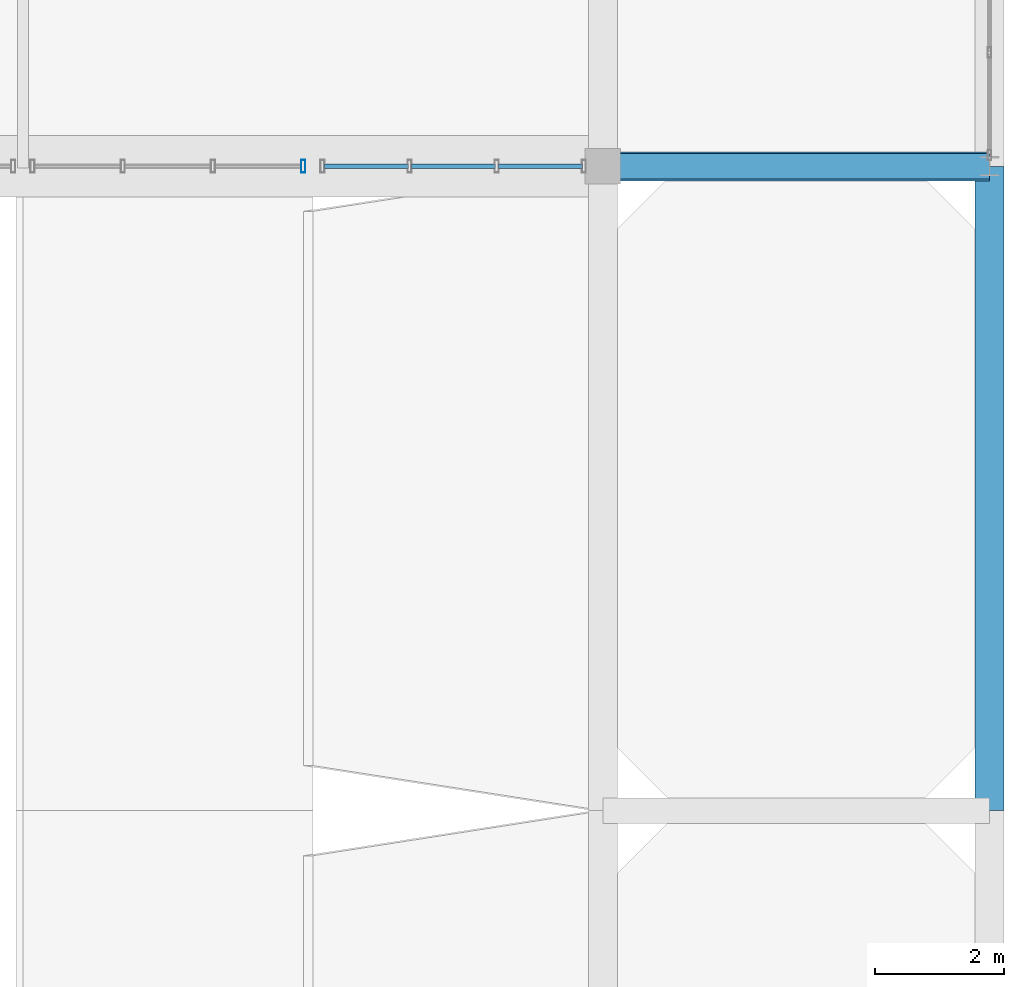
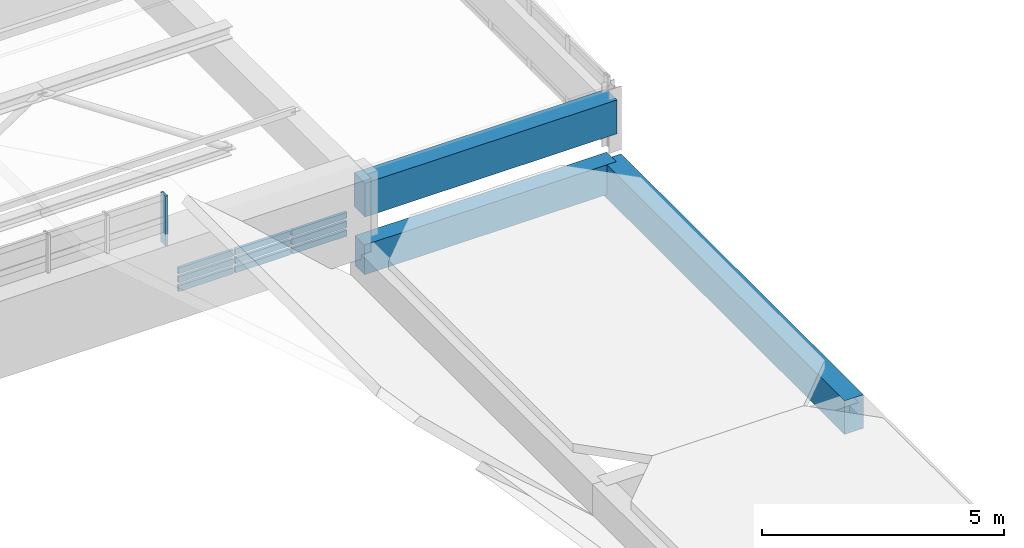
# One storey, part 54 of 82: 10 members, 3 beams, 2 elements without a shape of their own.
"""IFC4 building model written with IfcOpenShell, lengths in metres."""

import ifcopenshell
import ifcopenshell.guid

model = None  # the IFC model being written
_history = None  # IfcOwnerHistory: only IFC2X3 demands one
_inside = {}  # id of a spatial element -> (the spatial element, [elements in it])
_under = {}  # id of a project, library or spatial element -> (it, [spatial elements below it])
_declared = {}  # id of a project -> (the project, [libraries it declares])
_typed = {}  # id of a type object -> (the type object, [elements of that type])
_made_of = {}  # id of a material, layer set ... -> (it, [elements and type objects made of it])


def new_model(schema):
    """Start an empty IFC model of exactly this schema.

    Asked for "IFC4X3", IfcOpenShell would pick the latest addendum, in which some entities
    have other attributes; the version numbers below select the first issue.
    IFC2X3 requires an IfcOwnerHistory on every rooted entity: one is made here for all.
    """
    global model, _history
    if schema == "IFC4X3":
        model = ifcopenshell.file(schema_version=(4, 3, 0, 0))
    else:
        model = ifcopenshell.file(schema=schema)
    _inside.clear()
    _under.clear()
    _declared.clear()
    _typed.clear()
    _made_of.clear()
    _history = None
    if model.schema == "IFC2X3":
        org = make("IfcOrganization", Name="unknown")
        user = make(
            "IfcPersonAndOrganization",
            ThePerson=make("IfcPerson", FamilyName="unknown"),
            TheOrganization=org,
        )
        app = make(
            "IfcApplication",
            ApplicationDeveloper=org,
            Version="unknown",
            ApplicationFullName="unknown",
            ApplicationIdentifier="unknown",
        )
        _history = make(
            "IfcOwnerHistory",
            OwningUser=user,
            OwningApplication=app,
            ChangeAction="ADDED",
            CreationDate=0,
        )
    return model


def make(cls, **values):
    """One entity of the class cls with the attributes given. An attribute that is None is left unset."""
    return model.create_entity(
        cls, **{name: value for name, value in values.items() if value is not None}
    )


def rooted(cls, **values):
    """An entity with a GlobalId (a new one), such as an element, a storey or a relation."""
    return make(cls, GlobalId=ifcopenshell.guid.new(), OwnerHistory=_history, **values)


def si_unit(unit_type, name, prefix=None):
    """IfcSIUnit, for example si_unit("LENGTHUNIT", "METRE", prefix="MILLI")."""
    return make("IfcSIUnit", UnitType=unit_type, Prefix=prefix, Name=name)


def assignment(units):
    """IfcUnitAssignment: the units of a project."""
    return None if units is None else make("IfcUnitAssignment", Units=units)


def point(xyz):
    """IfcCartesianPoint."""
    return None if xyz is None else make("IfcCartesianPoint", Coordinates=xyz)


def direction(xyz):
    """IfcDirection."""
    return None if xyz is None else make("IfcDirection", DirectionRatios=xyz)


def frame(location, z_axis=None, x_axis=None):
    """IfcAxis2Placement3D, a coordinate frame: its origin and axes. An axis left out is left unset."""
    return make(
        "IfcAxis2Placement3D",
        Location=point(location),
        Axis=direction(z_axis),
        RefDirection=direction(x_axis),
    )


def frame_2d(location, x_axis=None):
    """IfcAxis2Placement2D, a coordinate frame in the plane: its origin and x axis."""
    return make(
        "IfcAxis2Placement2D", Location=point(location), RefDirection=direction(x_axis)
    )


def origin():
    """The frame at (0, 0, 0) with its axes left unset."""
    return frame((0.0, 0.0, 0.0))


def origin_2d():
    """The frame at (0, 0) in the plane with its x axis left unset."""
    return frame_2d((0.0, 0.0))


def place(relative_to, where):
    """IfcLocalPlacement: puts the frame where relative to a parent placement (None: the world)."""
    return make(
        "IfcLocalPlacement", PlacementRelTo=relative_to, RelativePlacement=where
    )


def context(
    kind, dimensions, precision=None, world=None, true_north=None, identifier=None
):
    """IfcGeometricRepresentationContext, for example the 3D "Model" context."""
    return make(
        "IfcGeometricRepresentationContext",
        ContextIdentifier=identifier,
        ContextType=kind,
        CoordinateSpaceDimension=dimensions,
        Precision=precision,
        WorldCoordinateSystem=world,
        TrueNorth=true_north,
    )


def subcontext(parent, identifier, kind, view, scale=None):
    """IfcGeometricRepresentationSubContext, for example "Body" below "Model"."""
    return make(
        "IfcGeometricRepresentationSubContext",
        ContextIdentifier=identifier,
        ContextType=kind,
        ParentContext=parent,
        TargetScale=scale,
        TargetView=view,
    )


def project(units=None, contexts=None):
    """IfcProject with its units and contexts."""
    return rooted(
        "IfcProject",
        Name="project",
        RepresentationContexts=contexts,
        UnitsInContext=assignment(units),
    )


def spatial(cls, under=None, at=None, **own):
    """A site, building, storey or space (cls), placed at a placement, below another one or the project."""
    s = rooted(cls, ObjectPlacement=at, **own)
    if under is not None:
        _under.setdefault(under.id(), (under, []))[1].append(s)
    return s


def profile(cls, at=None, kind="AREA", **sizes):
    """A parametric profile (cls). Its sizes go by their IFC names, for example OverallWidth=200.0."""
    return make(cls, ProfileType=kind, Position=at, **sizes)


def rectangle(**sizes):
    """IfcRectangleProfileDef."""
    return profile("IfcRectangleProfileDef", **sizes)


def hollow_rectangle(**sizes):
    """IfcRectangleHollowProfileDef."""
    return profile("IfcRectangleHollowProfileDef", **sizes)


def extrude(swept, where, along, depth):
    """IfcExtrudedAreaSolid: the profile swept, set in the frame where, extruded along a direction by depth."""
    return make(
        "IfcExtrudedAreaSolid",
        SweptArea=swept,
        Position=where,
        ExtrudedDirection=direction(along),
        Depth=depth,
    )


def shape(context_of_items, identifier, shape_type, items):
    """IfcShapeRepresentation: the items that make up one representation, for example the "Body"."""
    return make(
        "IfcShapeRepresentation",
        ContextOfItems=context_of_items,
        RepresentationIdentifier=identifier,
        RepresentationType=shape_type,
        Items=items,
    )


def material(Name=None, Category=None):
    """IfcMaterial."""
    return make("IfcMaterial", Name=Name, Category=Category)


def layer(
    of_material, thickness, ventilated=None, Name=None, Category=None, Priority=None
):
    """IfcMaterialLayer: one layer of a wall or slab, of a material (None: an air gap)."""
    return make(
        "IfcMaterialLayer",
        Material=of_material,
        LayerThickness=thickness,
        IsVentilated=ventilated,
        Name=Name,
        Category=Category,
        Priority=Priority,
    )


def layer_set(layers, Name=None):
    """IfcMaterialLayerSet."""
    return make("IfcMaterialLayerSet", MaterialLayers=layers, LayerSetName=Name)


def material_profile(
    of_material, cross_section, Name=None, Category=None, Priority=None
):
    """IfcMaterialProfile: a cross section and its material."""
    return make(
        "IfcMaterialProfile",
        Name=Name,
        Material=of_material,
        Profile=cross_section,
        Priority=Priority,
        Category=Category,
    )


def profile_set(profiles, Name=None, composite=None):
    """IfcMaterialProfileSet."""
    return make(
        "IfcMaterialProfileSet",
        Name=Name,
        MaterialProfiles=profiles,
        CompositeProfile=composite,
    )


def made_of(thing, what):
    """Note that an element or type object is made of a material, layer set ...; save() writes the relation."""
    if what is not None:
        _made_of.setdefault(what.id(), (what, []))[1].append(thing)
    return thing


def type_object(cls, material=None, **own):
    """A type object (cls), such as IfcWallType, which elements share."""
    return made_of(rooted(cls, **own), material)


def element(
    cls,
    number,
    at=None,
    inside=None,
    cuts=None,
    type_object=None,
    material=None,
    context=None,
    identifier="Body",
    shape_type=None,
    held_by="IfcProductDefinitionShape",
    body=None,
    shapes=None,
    **own,
):
    """One element of the class cls, such as IfcWall. Its Tag is "e" and its number.

    at: its placement. inside: the storey or other place that contains it. cuts: it is an
    opening in that element (IfcRelVoidsElement). A single representation is given by context,
    identifier, shape_type and body (its items); several are given by shapes. held_by: the class
    of the entity that holds the representations. save() writes the other relations.
    """
    e = rooted(cls, Tag="e%d" % number, ObjectPlacement=at, **own)
    if body is not None:
        shapes = [shape(context, identifier, shape_type, body)]
    if shapes is not None:
        e.Representation = make(held_by, Representations=shapes)
    if inside is not None:
        _inside.setdefault(inside.id(), (inside, []))[1].append(e)
    if cuts is not None:
        rooted(
            "IfcRelVoidsElement", RelatingBuildingElement=cuts, RelatedOpeningElement=e
        )
    if type_object is not None:
        _typed.setdefault(type_object.id(), (type_object, []))[1].append(e)
    return made_of(e, material)


def aggregate(whole, parts):
    """IfcRelAggregates: a whole, such as a stair, and the parts it consists of."""
    return rooted("IfcRelAggregates", RelatingObject=whole, RelatedObjects=parts)


def save(model, path):
    """Write the relations noted so far, then the file.

    IfcRelAggregates (storeys below a building ...), IfcRelContainedInSpatialStructure (elements
    in a storey), IfcRelDefinesByType, IfcRelAssociatesMaterial and IfcRelDeclares: one each for
    every whole, place, type object, material and project.
    """
    for whole, parts in _under.values():
        aggregate(whole, parts)
    for where, things in _inside.values():
        rooted(
            "IfcRelContainedInSpatialStructure",
            RelatedElements=things,
            RelatingStructure=where,
        )
    for kind, things in _typed.values():
        rooted("IfcRelDefinesByType", RelatedObjects=things, RelatingType=kind)
    for what, things in _made_of.values():
        rooted("IfcRelAssociatesMaterial", RelatedObjects=things, RelatingMaterial=what)
    for by, libraries in _declared.values():
        rooted("IfcRelDeclares", RelatingContext=by, RelatedDefinitions=libraries)
    model.write(path)


model = new_model("IFC4")

# Units and contexts
model_context = context("Model", 3, precision=1e-05, world=origin(), true_north=direction((0.0, 1.0)))
body_context = subcontext(model_context, "Body", "Model", "MODEL_VIEW")
ifc_project = project(units=[si_unit("LENGTHUNIT", "METRE"), si_unit("AREAUNIT", "SQUARE_METRE"), si_unit("VOLUMEUNIT", "CUBIC_METRE"), si_unit("PLANEANGLEUNIT", "RADIAN"), si_unit("MASSUNIT", "GRAM", prefix="KILO")], contexts=[model_context])

# Site, building, storey
site_placement = place(None, origin())
site = spatial("IfcSite", under=ifc_project, at=site_placement, CompositionType="ELEMENT")
building_placement = place(site_placement, origin())
building = spatial("IfcBuilding", under=site, at=building_placement, Name="Mersad Railyard Sports Hall", CompositionType="ELEMENT")
storey_placement = place(building_placement, frame((0.0, 0.0, 13.199951171875)))
storey = spatial("IfcBuildingStorey", under=building, at=storey_placement, Name="L03", CompositionType="ELEMENT", Elevation=13.199951171875)

# Curtain wall, member
ifc_material_1 = material(Name="Aluminium 6063-T6", Category="aluminium")
ifc_layer_1 = layer(ifc_material_1, 0.199951171875)
ifc_layer_set_1 = layer_set([ifc_layer_1], Name="Aluminium 6063-T6")
curtain_wall_type_1 = type_object("IfcCurtainWallType", Name="ARC-CW-CW43", PredefinedType="USERDEFINED", material=ifc_layer_set_1)
curtain_wall_1_placement = place(storey_placement, origin())
curtain_wall_1 = element("IfcCurtainWall", 1, at=curtain_wall_1_placement, inside=storey, type_object=curtain_wall_type_1, Name="Curtain wall CW43-0125", ObjectType="CURTAIN WALL", PredefinedType="USERDEFINED")
ifc_material_profile_1 = material_profile(ifc_material_1, hollow_rectangle(XDim=0.06494140625, YDim=0.199951171875, WallThickness=0.0048828125, at=origin_2d()), Name="AL MULLION 65x200x5")
ifc_profile_set_1 = profile_set([ifc_material_profile_1], Name="Aluminium 6063-T6")
member_type_1 = type_object("IfcMemberType", Name="ARC-CW-MUL02", PredefinedType="MULLION", material=ifc_profile_set_1)
member_1_placement = place(storey_placement, frame((168.35009765625, 73.5, 1.330078125), z_axis=(0.0, 0.0, 1.0), x_axis=(1.0, 0.0, 0.0)))
member_1 = element("IfcMember", 2, at=member_1_placement, type_object=member_type_1, Name="CW43 Mullion 4", PredefinedType="MULLION", context=body_context, shape_type="SweptSolid", body=[
    extrude(hollow_rectangle(XDim=0.06494140625, YDim=0.199951171875, WallThickness=0.0048828125, at=origin_2d()), origin(), (0.0, 0.0, 1.0), 1.251953125),
])
aggregate(curtain_wall_1, [member_1])

# Curtain wall, members
ifc_layer_2 = layer(ifc_material_1, 0.199951171875)
ifc_layer_set_2 = layer_set([ifc_layer_2], Name="Aluminium 6063-T6")
curtain_wall_type_2 = type_object("IfcCurtainWallType", Name="ARC-CW-CW41", PredefinedType="USERDEFINED", material=ifc_layer_set_2)
curtain_wall_2_placement = place(storey_placement, origin())
curtain_wall_2 = element("IfcCurtainWall", 3, at=curtain_wall_2_placement, inside=storey, type_object=curtain_wall_type_2, Name="Curtain wall CW41-0127", ObjectType="CURTAIN WALL", PredefinedType="USERDEFINED")
ifc_material_profile_2 = material_profile(ifc_material_1, hollow_rectangle(XDim=0.06494140625, YDim=0.14990234375, WallThickness=0.00439453125, at=origin_2d()), Name="AL TRANSOM 65x150x4.5")
ifc_profile_set_2 = profile_set([ifc_material_profile_2], Name="Aluminium 6063-T6")
member_type_2 = type_object("IfcMemberType", Name="ARC-CW-TRN02", PredefinedType="USERDEFINED", material=ifc_profile_set_2)
member_2_placement = place(storey_placement, frame((168.669921875, 73.5, 0.090087890625), z_axis=(1.0, 0.0, 0.0), x_axis=(0.0, 1.0, 0.0)))
member_2 = element("IfcMember", 4, at=member_2_placement, type_object=member_type_2, Name="CW41 Transom 1-1", ObjectType="TRANSOM", PredefinedType="USERDEFINED", context=body_context, shape_type="SweptSolid", body=[
    extrude(hollow_rectangle(XDim=0.06494140625, YDim=0.14990234375, WallThickness=0.00439453125, at=origin_2d()), origin(), (0.0, 0.0, 1.0), 1.311767578125),
])
member_3_placement = place(storey_placement, frame((170.021728515625, 73.5, 0.090087890625), z_axis=(1.0, 0.0, 0.0), x_axis=(0.0, 1.0, 0.0)))
member_3 = element("IfcMember", 5, at=member_3_placement, type_object=member_type_2, Name="CW41 Transom 1-2", ObjectType="TRANSOM", PredefinedType="USERDEFINED", context=body_context, shape_type="SweptSolid", body=[
    extrude(hollow_rectangle(XDim=0.06494140625, YDim=0.14990234375, WallThickness=0.00439453125, at=origin_2d()), origin(), (0.0, 0.0, 1.0), 1.3115234375),
])
member_4_placement = place(storey_placement, frame((171.373291015625, 73.5, 0.090087890625), z_axis=(1.0, 0.0, 0.0), x_axis=(0.0, 1.0, 0.0)))
member_4 = element("IfcMember", 6, at=member_4_placement, type_object=member_type_2, Name="CW41 Transom 1-3", ObjectType="TRANSOM", PredefinedType="USERDEFINED", context=body_context, shape_type="SweptSolid", body=[
    extrude(hollow_rectangle(XDim=0.06494140625, YDim=0.14990234375, WallThickness=0.00439453125, at=origin_2d()), origin(), (0.0, 0.0, 1.0), 1.311767578125),
])
member_5_placement = place(storey_placement, frame((168.669921875, 73.5, 0.31494140625), z_axis=(1.0, 0.0, 0.0), x_axis=(0.0, 1.0, 0.0)))
member_5 = element("IfcMember", 7, at=member_5_placement, type_object=member_type_2, Name="CW41 Transom 2-1", ObjectType="TRANSOM", PredefinedType="USERDEFINED", context=body_context, shape_type="SweptSolid", body=[
    extrude(hollow_rectangle(XDim=0.06494140625, YDim=0.14990234375, WallThickness=0.00439453125, at=origin_2d()), origin(), (0.0, 0.0, 1.0), 1.311767578125),
])
member_6_placement = place(storey_placement, frame((170.021728515625, 73.5, 0.31494140625), z_axis=(1.0, 0.0, 0.0), x_axis=(0.0, 1.0, 0.0)))
member_6 = element("IfcMember", 8, at=member_6_placement, type_object=member_type_2, Name="CW41 Transom 2-2", ObjectType="TRANSOM", PredefinedType="USERDEFINED", context=body_context, shape_type="SweptSolid", body=[
    extrude(hollow_rectangle(XDim=0.06494140625, YDim=0.14990234375, WallThickness=0.00439453125, at=origin_2d()), origin(), (0.0, 0.0, 1.0), 1.3115234375),
])
member_7_placement = place(storey_placement, frame((171.373291015625, 73.5, 0.31494140625), z_axis=(1.0, 0.0, 0.0), x_axis=(0.0, 1.0, 0.0)))
member_7 = element("IfcMember", 9, at=member_7_placement, type_object=member_type_2, Name="CW41 Transom 2-3", ObjectType="TRANSOM", PredefinedType="USERDEFINED", context=body_context, shape_type="SweptSolid", body=[
    extrude(hollow_rectangle(XDim=0.06494140625, YDim=0.14990234375, WallThickness=0.00439453125, at=origin_2d()), origin(), (0.0, 0.0, 1.0), 1.311767578125),
])
member_8_placement = place(storey_placement, frame((168.669921875, 73.5, 0.5400390625), z_axis=(1.0, 0.0, 0.0), x_axis=(0.0, 1.0, 0.0)))
member_8 = element("IfcMember", 10, at=member_8_placement, type_object=member_type_2, Name="CW41 Transom 3-1", ObjectType="TRANSOM", PredefinedType="USERDEFINED", context=body_context, shape_type="SweptSolid", body=[
    extrude(hollow_rectangle(XDim=0.06494140625, YDim=0.14990234375, WallThickness=0.00439453125, at=origin_2d()), origin(), (0.0, 0.0, 1.0), 1.311767578125),
])
member_9_placement = place(storey_placement, frame((170.021728515625, 73.5, 0.5400390625), z_axis=(1.0, 0.0, 0.0), x_axis=(0.0, 1.0, 0.0)))
member_9 = element("IfcMember", 11, at=member_9_placement, type_object=member_type_2, Name="CW41 Transom 3-2", ObjectType="TRANSOM", PredefinedType="USERDEFINED", context=body_context, shape_type="SweptSolid", body=[
    extrude(hollow_rectangle(XDim=0.06494140625, YDim=0.14990234375, WallThickness=0.00439453125, at=origin_2d()), origin(), (0.0, 0.0, 1.0), 1.3115234375),
])
member_10_placement = place(storey_placement, frame((171.373291015625, 73.5, 0.5400390625), z_axis=(1.0, 0.0, 0.0), x_axis=(0.0, 1.0, 0.0)))
member_10 = element("IfcMember", 12, at=member_10_placement, type_object=member_type_2, Name="CW41 Transom 3-3", ObjectType="TRANSOM", PredefinedType="USERDEFINED", context=body_context, shape_type="SweptSolid", body=[
    extrude(hollow_rectangle(XDim=0.06494140625, YDim=0.14990234375, WallThickness=0.00439453125, at=origin_2d()), origin(), (0.0, 0.0, 1.0), 1.311767578125),
])
aggregate(curtain_wall_2, [member_2, member_3, member_4, member_5, member_6, member_7, member_8, member_9, member_10])

# Beams
ifc_material_2 = material(Name="Concrete C40/50", Category="concrete")
ifc_material_profile_3 = material_profile(ifc_material_2, rectangle(XDim=0.39990234375, YDim=0.75, at=origin_2d()), Name="RC 400x750")
ifc_profile_set_3 = profile_set([ifc_material_profile_3], Name="Concrete C40/50")
beam_type_1 = type_object("IfcBeamType", Name="STR-BM-B01", PredefinedType="BEAM", material=ifc_profile_set_3)
beam_1_placement = place(storey_placement, frame((173.0, 73.5, -0.594970703125), z_axis=(1.0, 0.0, 0.0), x_axis=(0.0, 1.0, 0.0)))
element("IfcBeam", 13, at=beam_1_placement, inside=storey, type_object=beam_type_1, Name="Beam B01-0690", PredefinedType="BEAM", context=body_context, shape_type="SweptSolid", body=[
    extrude(rectangle(XDim=0.39990234375, YDim=0.75, at=origin_2d()), origin(), (0.0, 0.0, 1.0), 6.0),
])
ifc_material_profile_4 = material_profile(ifc_material_2, rectangle(XDim=0.449951171875, YDim=0.85009765625, at=origin_2d()), Name="RC 450x850")
ifc_profile_set_4 = profile_set([ifc_material_profile_4], Name="Concrete C40/50")
beam_type_2 = type_object("IfcBeamType", Name="STR-BM-B02", PredefinedType="BEAM", material=ifc_profile_set_4)
beam_2_placement = place(storey_placement, frame((179.0, 63.5, -0.64501953125), z_axis=(0.0, 1.0, 0.0), x_axis=(-1.0, 0.0, 0.0)))
element("IfcBeam", 14, at=beam_2_placement, inside=storey, type_object=beam_type_2, Name="Beam B02-0704", PredefinedType="BEAM", context=body_context, shape_type="SweptSolid", body=[
    extrude(rectangle(XDim=0.449951171875, YDim=0.85009765625, at=origin_2d()), origin(), (0.0, 0.0, 1.0), 10.0),
])
beam_3_placement = place(storey_placement, frame((173.0, 73.5, 0.925048828125), z_axis=(1.0, 0.0, 0.0), x_axis=(0.0, 1.0, 0.0)))
element("IfcBeam", 15, at=beam_3_placement, inside=storey, type_object=beam_type_2, Name="Beam B02-0914", PredefinedType="BEAM", context=body_context, shape_type="SweptSolid", body=[
    extrude(rectangle(XDim=0.449951171875, YDim=0.85009765625, at=origin_2d()), origin(), (0.0, 0.0, 1.0), 6.0),
])

save(model, "model.ifc")
